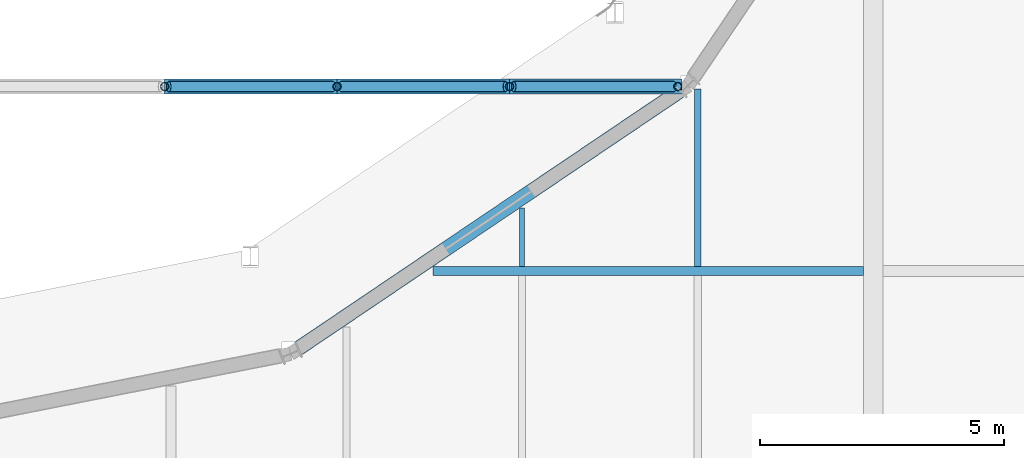
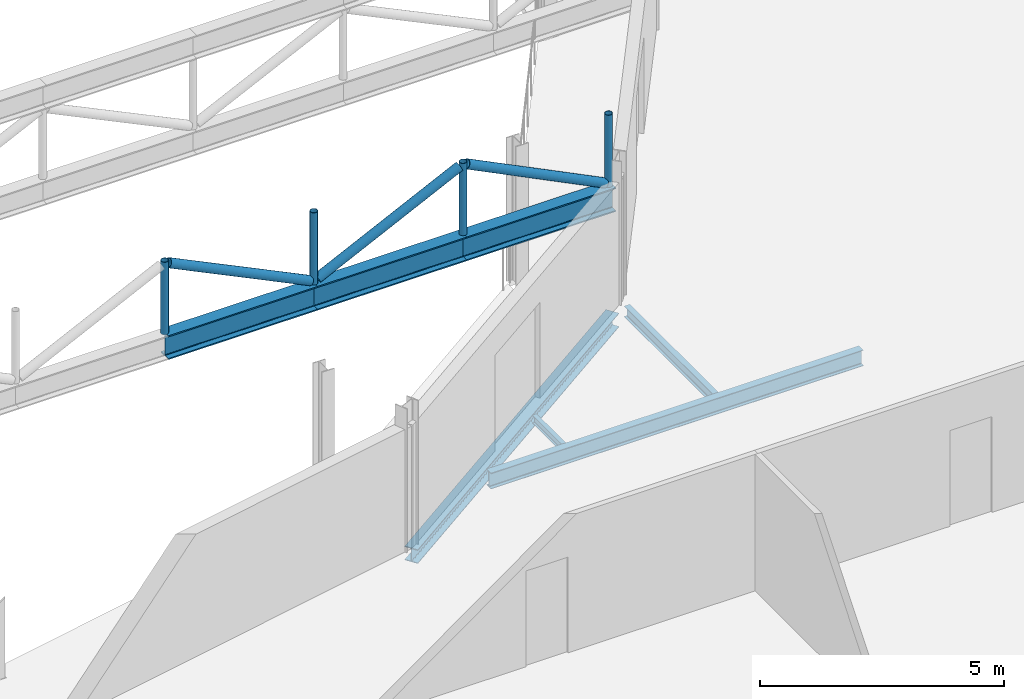
# One storey, part 40 of 143: 10 members, 4 beams.
"""IFC4 building model written with IfcOpenShell, lengths in metres."""

from ifc_helpers import new_model, si_unit, direction, frame, origin, origin_2d, place, context, subcontext, project, spatial, hollow_circle, i_section, extrude, material, material_profile, profile_set, type_object, element, save


model = new_model("IFC4")

# Units and contexts
model_context = context("Model", 3, precision=1e-05, world=origin(), true_north=direction((0.0, 1.0)))
body_context = subcontext(model_context, "Body", "Model", "MODEL_VIEW")
ifc_project = project(units=[si_unit("LENGTHUNIT", "METRE"), si_unit("AREAUNIT", "SQUARE_METRE"), si_unit("VOLUMEUNIT", "CUBIC_METRE"), si_unit("PLANEANGLEUNIT", "RADIAN"), si_unit("MASSUNIT", "GRAM", prefix="KILO")], contexts=[model_context])

# Site, building, storey
site_placement = place(None, origin())
site = spatial("IfcSite", under=ifc_project, at=site_placement, CompositionType="ELEMENT")
building_placement = place(site_placement, origin())
building = spatial("IfcBuilding", under=site, at=building_placement, Name="Kupolbacken Congress Centre", CompositionType="ELEMENT")
storey_placement = place(building_placement, frame((0.0, 0.0, 7.199951171875)))
storey = spatial("IfcBuildingStorey", under=building, at=storey_placement, Name="L02", CompositionType="ELEMENT", Elevation=7.199951171875)

# Beams
ifc_material_1 = material(Name="Steel S355", Category="steel")
ifc_material_profile_1 = material_profile(ifc_material_1, i_section(OverallWidth=0.10009765625, OverallDepth=0.199951171875, WebThickness=0.005615234375, FlangeThickness=0.008544921875, FilletRadius=0.011962890625, at=origin_2d()), Name="IPE 200")
ifc_profile_set_1 = profile_set([ifc_material_profile_1], Name="Steel S355")
beam_type_1 = type_object("IfcBeamType", Name="B01 beam IPE 200", PredefinedType="BEAM", material=ifc_profile_set_1)
beam_1_placement = place(storey_placement, frame((57.60009765625, 64.889892578125, -0.280029296875), z_axis=(0.0, 1.0, 0.0), x_axis=(-1.0, 0.0, 0.0)))
element("IfcBeam", 1, at=beam_1_placement, inside=storey, type_object=beam_type_1, Name="S/floor/P/L02/S130", PredefinedType="BEAM", context=body_context, shape_type="SweptSolid", body=[
    extrude(i_section(OverallWidth=0.10009765625, OverallDepth=0.199951171875, WebThickness=0.005615234375, FlangeThickness=0.008544921875, FilletRadius=0.011962890625, at=origin_2d()), origin(), (0.0, 0.0, 1.0), 1.200927734375),
])
ifc_material_2 = material(Name="Steel S355", Category="steel")
ifc_material_profile_2 = material_profile(ifc_material_2, i_section(OverallWidth=0.135009765625, OverallDepth=0.27001953125, WebThickness=0.006591796875, FlangeThickness=0.01025390625, FilletRadius=0.014892578125, at=origin_2d()), Name="IPE 270")
ifc_profile_set_2 = profile_set([ifc_material_profile_2], Name="Steel S355")
beam_type_2 = type_object("IfcBeamType", Name="B03 beam IPE 270", PredefinedType="BEAM", material=ifc_profile_set_2)
beam_2_placement = place(storey_placement, frame((61.199951171875, 64.889892578125, -0.31494140625), z_axis=(0.0, 1.0, 0.0), x_axis=(-1.0, 0.0, 0.0)))
element("IfcBeam", 2, at=beam_2_placement, inside=storey, type_object=beam_type_2, Name="S/floor/P/L02/S136", PredefinedType="BEAM", context=body_context, shape_type="SweptSolid", body=[
    extrude(i_section(OverallWidth=0.135009765625, OverallDepth=0.27001953125, WebThickness=0.006591796875, FlangeThickness=0.01025390625, FilletRadius=0.014892578125, at=origin_2d()), origin(), (0.0, 0.0, 1.0), 3.63818359375),
])
ifc_material_3 = material(Name="Steel S355", Category="steel")
ifc_material_profile_3 = material_profile(ifc_material_3, i_section(OverallWidth=0.179931640625, OverallDepth=0.39990234375, WebThickness=0.008544921875, FlangeThickness=0.013427734375, FilletRadius=0.02099609375, at=origin_2d()), Name="IPE 400")
ifc_profile_set_3 = profile_set([ifc_material_profile_3], Name="Steel S355")
beam_type_3 = type_object("IfcBeamType", Name="B07 beam IPE 400", PredefinedType="BEAM", material=ifc_profile_set_3)
beam_3_placement = place(storey_placement, frame((55.7705078125, 64.800048828125, -0.3798828125), z_axis=(1.0, 0.0, 0.0), x_axis=(0.0, 1.0, 0.0)))
element("IfcBeam", 3, at=beam_3_placement, inside=storey, type_object=beam_type_3, Name="S/floor/P/L02/R045", PredefinedType="BEAM", context=body_context, shape_type="SweptSolid", body=[
    extrude(i_section(OverallWidth=0.179931640625, OverallDepth=0.39990234375, WebThickness=0.008544921875, FlangeThickness=0.013427734375, FilletRadius=0.02099609375, at=origin_2d()), origin(), (0.0, 0.0, 1.0), 8.82958984375),
])
ifc_material_4 = material(Name="Steel S355", Category="steel")
ifc_material_profile_4 = material_profile(ifc_material_4, i_section(OverallWidth=0.300048828125, OverallDepth=0.35009765625, WebThickness=0.010009765625, FlangeThickness=0.017578125, FilletRadius=0.027099609375, at=origin_2d()), Name="HEA 360")
ifc_profile_set_4 = profile_set([ifc_material_profile_4], Name="Steel S355")
beam_type_4 = type_object("IfcBeamType", Name="B13 beam HEA 360", PredefinedType="BEAM", material=ifc_profile_set_4)
beam_4_placement = place(storey_placement, frame((53.019287109375, 63.214111328125, -0.35498046875), z_axis=(0.828896422049, 0.559402110752, 0.0), x_axis=(-0.559402110752, 0.828896422049, 0.0)))
element("IfcBeam", 4, at=beam_4_placement, inside=storey, type_object=beam_type_4, Name="S/floor/P/L02/C014", PredefinedType="BEAM", context=body_context, shape_type="SweptSolid", body=[
    extrude(i_section(OverallWidth=0.300048828125, OverallDepth=0.35009765625, WebThickness=0.010009765625, FlangeThickness=0.017578125, FilletRadius=0.027099609375, at=origin_2d()), origin(), (0.0, 0.0, 1.0), 9.42431640625),
])

# Members
ifc_material_5 = material(Name="Steel S355", Category="steel")
ifc_material_profile_5 = material_profile(ifc_material_5, i_section(OverallWidth=0.300048828125, OverallDepth=0.60009765625, WebThickness=0.015380859375, FlangeThickness=0.030029296875, FilletRadius=0.027099609375, at=origin_2d()), Name="HEB 600")
ifc_profile_set_5 = profile_set([ifc_material_profile_5], Name="Steel S355")
member_type_1 = type_object("IfcMemberType", Name="M02 transfer truss chord HEB 600", PredefinedType="CHORD", material=ifc_profile_set_5)
member_1_placement = place(storey_placement, frame((50.271728515625, 68.580810546875, 2.634033203125), z_axis=(1.0, 0.0, 0.0), x_axis=(0.0, 1.0, 0.0)))
element("IfcMember", 5, at=member_1_placement, inside=storey, type_object=member_type_1, Name="PD/L02/balc/trussR/BC08", PredefinedType="CHORD", context=body_context, shape_type="SweptSolid", body=[
    extrude(i_section(OverallWidth=0.300048828125, OverallDepth=0.60009765625, WebThickness=0.015380859375, FlangeThickness=0.030029296875, FilletRadius=0.027099609375, at=origin_2d()), origin(), (0.0, 0.0, 1.0), 3.53564453125),
])
for number, where, z_axis, x_axis, name in (
    (6, (53.807373046875, 68.580810546875, 2.634033203125), (1.0, 0.0, 0.0), (0.0, 1.0, 0.0), "PD/L02/balc/trussR/BC09"),
    (7, (57.34326171875, 68.580810546875, 2.634033203125), (1.0, 0.0, 0.0), (0.0, 1.0, 0.0), "PD/L02/balc/trussR/BC10"),
):
    element("IfcMember", number, at=place(storey_placement, frame(where, z_axis=z_axis, x_axis=x_axis)), inside=storey, type_object=member_type_1, Name=name, PredefinedType="CHORD", context=body_context, shape_type="SweptSolid", body=[
        extrude(i_section(OverallWidth=0.300048828125, OverallDepth=0.60009765625, WebThickness=0.015380859375, FlangeThickness=0.030029296875, FilletRadius=0.027099609375, at=origin_2d()), origin(), (0.0, 0.0, 1.0), 3.535888671875),
    ])
ifc_material_6 = material(Name="Steel S355", Category="steel")
ifc_material_profile_6 = material_profile(ifc_material_6, hollow_circle(Radius=0.109619140625, WallThickness=0.010009765625, at=origin_2d()), Name="CHS 219.1 x 10")
ifc_profile_set_6 = profile_set([ifc_material_profile_6], Name="Steel S355")
member_type_2 = type_object("IfcMemberType", Name="M05 transfer truss web CHS 219.1 x 10", PredefinedType="BRACE", material=ifc_profile_set_6)
member_2_placement = place(storey_placement, frame((50.355712890625, 68.580810546875, 4.6474609375), z_axis=(0.900453790006, 0.0, -0.434951689344), x_axis=(0.0, 1.0, 0.0)))
element("IfcMember", 8, at=member_2_placement, inside=storey, type_object=member_type_2, Name="PD/L02/balc/trussR/D08", PredefinedType="BRACE", context=body_context, shape_type="SweptSolid", body=[
    extrude(hollow_circle(Radius=0.109619140625, WallThickness=0.010009765625, at=origin_2d()), origin(), (0.0, 0.0, 1.0), 3.739990234375),
])
member_3_placement = place(storey_placement, frame((53.8916015625, 68.580810546875, 3.020751953125), z_axis=(0.900441439307, 0.0, 0.434977257312), x_axis=(0.0, 1.0, 0.0)))
element("IfcMember", 9, at=member_3_placement, inside=storey, type_object=member_type_2, Name="PD/L02/balc/trussR/D09", PredefinedType="BRACE", context=body_context, shape_type="SweptSolid", body=[
    extrude(hollow_circle(Radius=0.109619140625, WallThickness=0.010009765625, at=origin_2d()), origin(), (0.0, 0.0, 1.0), 3.73974609375),
])
member_4_placement = place(storey_placement, frame((57.427490234375, 68.580810546875, 4.648193359375), z_axis=(0.895914513918, 0.0, -0.444226500506), x_axis=(0.0, 1.0, 0.0)))
element("IfcMember", 10, at=member_4_placement, inside=storey, type_object=member_type_2, Name="PD/L02/balc/trussR/D10", PredefinedType="BRACE", context=body_context, shape_type="SweptSolid", body=[
    extrude(hollow_circle(Radius=0.109619140625, WallThickness=0.010009765625, at=origin_2d()), origin(), (0.0, 0.0, 1.0), 3.66455078125),
])
ifc_material_7 = material(Name="Steel S355", Category="steel")
ifc_material_profile_7 = material_profile(ifc_material_7, hollow_circle(Radius=0.084228515625, WallThickness=0.008056640625, at=origin_2d()), Name="CHS 168.3 x 8")
ifc_profile_set_7 = profile_set([ifc_material_profile_7], Name="Steel S355")
member_type_3 = type_object("IfcMemberType", Name="M20 transfer truss post CHS 168.3 x 8", PredefinedType="STRUT", material=ifc_profile_set_7)
for number, where, z_axis, x_axis, name in (
    (11, (50.271728515625, 68.580810546875, 2.924072265625), (0.0, 0.0, 1.0), (1.0, 0.0, 0.0), "PD/L02/balc/trussR/P07"),
    (12, (53.807373046875, 68.580810546875, 2.924072265625), (0.0, 0.0, 1.0), (1.0, 0.0, 0.0), "PD/L02/balc/trussR/P08"),
    (13, (57.34326171875, 68.580810546875, 2.924072265625), (0.0, 0.0, 1.0), (1.0, 0.0, 0.0), "PD/L02/balc/trussR/P09"),
    (14, (60.794921875, 68.580810546875, 2.924072265625), (0.0, 0.0, 1.0), (1.0, 0.0, 0.0), "PD/L02/balc/trussR/P10"),
):
    element("IfcMember", number, at=place(storey_placement, frame(where, z_axis=z_axis, x_axis=x_axis)), inside=storey, type_object=member_type_3, Name=name, PredefinedType="STRUT", context=body_context, shape_type="SweptSolid", body=[
        extrude(hollow_circle(Radius=0.084228515625, WallThickness=0.008056640625, at=origin_2d()), origin(), (0.0, 0.0, 1.0), 1.820068359375),
    ])

save(model, "model.ifc")
